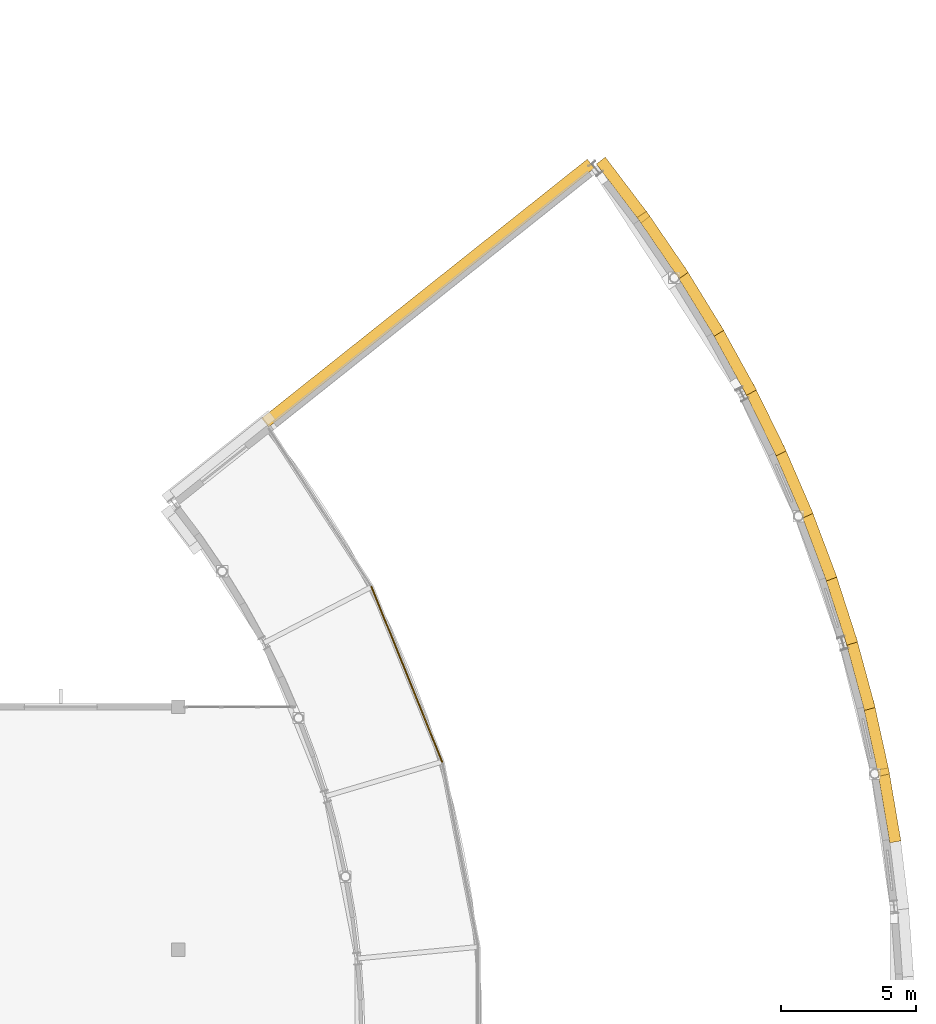
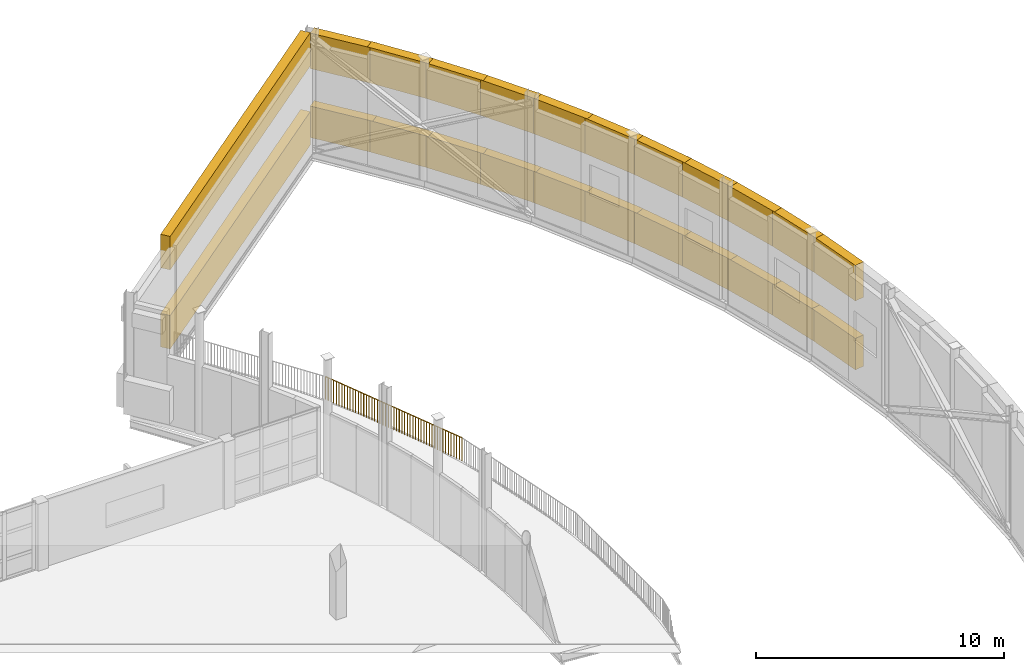
# One storey, part 104 of 104: 24 coverings, 1 railing.
"""IFC4 building model written with IfcOpenShell, lengths in metres."""

from ifc_helpers import new_model, si_unit, direction, frame, origin, origin_2d, place, context, subcontext, project, spatial, rectangle, circle, extrude, material, layer, layer_set, type_object, element, save


model = new_model("IFC4")

# Units and contexts
model_context = context("Model", 3, precision=1e-05, world=origin(), true_north=direction((0.0, 1.0)))
body_context = subcontext(model_context, "Body", "Model", "MODEL_VIEW")
ifc_project = project(units=[si_unit("LENGTHUNIT", "METRE"), si_unit("AREAUNIT", "SQUARE_METRE"), si_unit("VOLUMEUNIT", "CUBIC_METRE"), si_unit("PLANEANGLEUNIT", "RADIAN"), si_unit("MASSUNIT", "GRAM", prefix="KILO")], contexts=[model_context])

# Site, building, storey
site_placement = place(None, origin())
site = spatial("IfcSite", under=ifc_project, at=site_placement, CompositionType="ELEMENT")
building_placement = place(site_placement, origin())
building = spatial("IfcBuilding", under=site, at=building_placement, Name="Vanh Quang Courtyard School", CompositionType="ELEMENT")
storey_placement = place(building_placement, frame((0.0, 0.0, 4.199951171875)))
storey = spatial("IfcBuildingStorey", under=building, at=storey_placement, Name="L01", CompositionType="ELEMENT", Elevation=4.199951171875)

# Coverings
ifc_material_1 = material(Name="White precast concrete C40/50", Category="concrete")
ifc_layer = layer(ifc_material_1, 0.419921875)
ifc_layer_set = layer_set([ifc_layer], Name="White precast concrete C40/50")
covering_type = type_object("IfcCoveringType", Name="COV-CLAD-WHITE", PredefinedType="CLADDING", material=ifc_layer_set)
covering_1_placement = place(storey_placement, frame((163.57861328125, 64.7470703125, 0.47509765625), z_axis=(0.0, 0.0, 1.0), x_axis=(-0.16728499015, 0.985908582005, 0.0)))
element("IfcCovering", 1, at=covering_1_placement, inside=storey, type_object=covering_type, Name="Covering CL-01 (L01)", PredefinedType="CLADDING", context=body_context, shape_type="SweptSolid", body=[
    extrude(rectangle(XDim=2.74560546875, YDim=0.419921875, at=origin_2d()), origin(), (0.0, 0.0, 1.0), 1.550048828125),
])
covering_2_placement = place(storey_placement, frame((163.57861328125, 64.7470703125, 3.875), z_axis=(0.0, 0.0, 1.0), x_axis=(-0.16728499015, 0.985908582005, 0.0)))
element("IfcCovering", 2, at=covering_2_placement, inside=storey, type_object=covering_type, Name="Covering CL-01 (L01)", PredefinedType="CLADDING", context=body_context, shape_type="SweptSolid", body=[
    extrude(rectangle(XDim=2.74560546875, YDim=0.419921875, at=origin_2d()), origin(), (0.0, 0.0, 1.0), 1.75),
])
covering_3_placement = place(storey_placement, frame((163.099609375, 67.211669921875, 0.47509765625), z_axis=(0.0, 0.0, 1.0), x_axis=(-0.214223913346, 0.976784579603, 0.0)))
element("IfcCovering", 3, at=covering_3_placement, inside=storey, type_object=covering_type, Name="Covering CL-01 (L01)", PredefinedType="CLADDING", context=body_context, shape_type="SweptSolid", body=[
    extrude(rectangle(XDim=2.74560546875, YDim=0.419921875, at=origin_2d()), origin(), (0.0, 0.0, 1.0), 1.550048828125),
])
covering_4_placement = place(storey_placement, frame((163.099609375, 67.211669921875, 3.875), z_axis=(0.0, 0.0, 1.0), x_axis=(-0.214223913346, 0.976784579603, 0.0)))
element("IfcCovering", 4, at=covering_4_placement, inside=storey, type_object=covering_type, Name="Covering CL-01 (L01)", PredefinedType="CLADDING", context=body_context, shape_type="SweptSolid", body=[
    extrude(rectangle(XDim=2.74560546875, YDim=0.419921875, at=origin_2d()), origin(), (0.0, 0.0, 1.0), 1.75),
])
covering_5_placement = place(storey_placement, frame((162.502685546875, 69.650390625, 0.47509765625), z_axis=(0.0, 0.0, 1.0), x_axis=(-0.261009993198, 0.965336098699, 0.0)))
element("IfcCovering", 5, at=covering_5_placement, inside=storey, type_object=covering_type, Name="Covering CL-01 (L01)", PredefinedType="CLADDING", context=body_context, shape_type="SweptSolid", body=[
    extrude(rectangle(XDim=2.74560546875, YDim=0.419921875, at=origin_2d()), origin(), (0.0, 0.0, 1.0), 1.550048828125),
])
covering_6_placement = place(storey_placement, frame((162.502685546875, 69.650390625, 3.875), z_axis=(0.0, 0.0, 1.0), x_axis=(-0.261009993198, 0.965336098699, 0.0)))
element("IfcCovering", 6, at=covering_6_placement, inside=storey, type_object=covering_type, Name="Covering CL-01 (L01)", PredefinedType="CLADDING", context=body_context, shape_type="SweptSolid", body=[
    extrude(rectangle(XDim=2.74560546875, YDim=0.419921875, at=origin_2d()), origin(), (0.0, 0.0, 1.0), 1.75),
])
covering_7_placement = place(storey_placement, frame((161.789794921875, 72.0576171875, 0.47509765625), z_axis=(0.0, 0.0, 1.0), x_axis=(-0.307024429971, 0.951701633602, 0.0)))
element("IfcCovering", 7, at=covering_7_placement, inside=storey, type_object=covering_type, Name="Covering CL-01 (L01)", PredefinedType="CLADDING", context=body_context, shape_type="SweptSolid", body=[
    extrude(rectangle(XDim=2.74560546875, YDim=0.419921875, at=origin_2d()), origin(), (0.0, 0.0, 1.0), 1.550048828125),
])
covering_8_placement = place(storey_placement, frame((161.789794921875, 72.0576171875, 3.875), z_axis=(0.0, 0.0, 1.0), x_axis=(-0.307024429971, 0.951701633602, 0.0)))
element("IfcCovering", 8, at=covering_8_placement, inside=storey, type_object=covering_type, Name="Covering CL-01 (L01)", PredefinedType="CLADDING", context=body_context, shape_type="SweptSolid", body=[
    extrude(rectangle(XDim=2.74560546875, YDim=0.419921875, at=origin_2d()), origin(), (0.0, 0.0, 1.0), 1.75),
])
covering_9_placement = place(storey_placement, frame((160.9619140625, 74.427978515625, 0.47509765625), z_axis=(0.0, 0.0, 1.0), x_axis=(-0.352168373381, 0.935936662809, 0.0)))
element("IfcCovering", 9, at=covering_9_placement, inside=storey, type_object=covering_type, Name="Covering CL-01 (L01)", PredefinedType="CLADDING", context=body_context, shape_type="SweptSolid", body=[
    extrude(rectangle(XDim=2.74560546875, YDim=0.419921875, at=origin_2d()), origin(), (0.0, 0.0, 1.0), 1.550048828125),
])
covering_10_placement = place(storey_placement, frame((160.9619140625, 74.427978515625, 3.875), z_axis=(0.0, 0.0, 1.0), x_axis=(-0.352168373381, 0.935936662809, 0.0)))
element("IfcCovering", 10, at=covering_10_placement, inside=storey, type_object=covering_type, Name="Covering CL-01 (L01)", PredefinedType="CLADDING", context=body_context, shape_type="SweptSolid", body=[
    extrude(rectangle(XDim=2.74560546875, YDim=0.419921875, at=origin_2d()), origin(), (0.0, 0.0, 1.0), 1.75),
])
covering_11_placement = place(storey_placement, frame((160.021484375, 76.755859375, 0.47509765625), z_axis=(0.0, 0.0, 1.0), x_axis=(-0.396827509647, 0.917893200535, 0.0)))
element("IfcCovering", 11, at=covering_11_placement, inside=storey, type_object=covering_type, Name="Covering CL-01 (L01)", PredefinedType="CLADDING", context=body_context, shape_type="SweptSolid", body=[
    extrude(rectangle(XDim=2.74560546875, YDim=0.419921875, at=origin_2d()), origin(), (0.0, 0.0, 1.0), 1.550048828125),
])
covering_12_placement = place(storey_placement, frame((160.021484375, 76.755859375, 3.875), z_axis=(0.0, 0.0, 1.0), x_axis=(-0.396827509647, 0.917893200535, 0.0)))
element("IfcCovering", 12, at=covering_12_placement, inside=storey, type_object=covering_type, Name="Covering CL-01 (L01)", PredefinedType="CLADDING", context=body_context, shape_type="SweptSolid", body=[
    extrude(rectangle(XDim=2.74560546875, YDim=0.419921875, at=origin_2d()), origin(), (0.0, 0.0, 1.0), 1.75),
])
covering_13_placement = place(storey_placement, frame((158.97021484375, 79.035888671875, 0.47509765625), z_axis=(0.0, 0.0, 1.0), x_axis=(-0.440252613806, 0.897873953312, 0.0)))
element("IfcCovering", 13, at=covering_13_placement, inside=storey, type_object=covering_type, Name="Covering CL-01 (L01)", PredefinedType="CLADDING", context=body_context, shape_type="SweptSolid", body=[
    extrude(rectangle(XDim=2.74560546875, YDim=0.419921875, at=origin_2d()), origin(), (0.0, 0.0, 1.0), 1.550048828125),
])
covering_14_placement = place(storey_placement, frame((158.97021484375, 79.035888671875, 3.875), z_axis=(0.0, 0.0, 1.0), x_axis=(-0.440252613806, 0.897873953312, 0.0)))
element("IfcCovering", 14, at=covering_14_placement, inside=storey, type_object=covering_type, Name="Covering CL-01 (L01)", PredefinedType="CLADDING", context=body_context, shape_type="SweptSolid", body=[
    extrude(rectangle(XDim=2.74560546875, YDim=0.419921875, at=origin_2d()), origin(), (0.0, 0.0, 1.0), 1.75),
])
covering_15_placement = place(storey_placement, frame((157.81103515625, 81.262939453125, 0.47509765625), z_axis=(0.0, 0.0, 1.0), x_axis=(-0.482976759048, 0.875633171036, 0.0)))
element("IfcCovering", 15, at=covering_15_placement, inside=storey, type_object=covering_type, Name="Covering CL-01 (L01)", PredefinedType="CLADDING", context=body_context, shape_type="SweptSolid", body=[
    extrude(rectangle(XDim=2.74560546875, YDim=0.419921875, at=origin_2d()), origin(), (0.0, 0.0, 1.0), 1.550048828125),
])
covering_16_placement = place(storey_placement, frame((157.81103515625, 81.262939453125, 3.875), z_axis=(0.0, 0.0, 1.0), x_axis=(-0.482976759048, 0.875633171036, 0.0)))
element("IfcCovering", 16, at=covering_16_placement, inside=storey, type_object=covering_type, Name="Covering CL-01 (L01)", PredefinedType="CLADDING", context=body_context, shape_type="SweptSolid", body=[
    extrude(rectangle(XDim=2.74560546875, YDim=0.419921875, at=origin_2d()), origin(), (0.0, 0.0, 1.0), 1.75),
])
covering_17_placement = place(storey_placement, frame((156.546142578125, 83.431640625, 0.47509765625), z_axis=(0.0, 0.0, 1.0), x_axis=(-0.524283182828, 0.851543976671, 0.0)))
element("IfcCovering", 17, at=covering_17_placement, inside=storey, type_object=covering_type, Name="Covering CL-01 (L01)", PredefinedType="CLADDING", context=body_context, shape_type="SweptSolid", body=[
    extrude(rectangle(XDim=2.74560546875, YDim=0.419921875, at=origin_2d()), origin(), (0.0, 0.0, 1.0), 1.550048828125),
])
covering_18_placement = place(storey_placement, frame((156.546142578125, 83.431640625, 3.875), z_axis=(0.0, 0.0, 1.0), x_axis=(-0.524283182828, 0.851543976671, 0.0)))
element("IfcCovering", 18, at=covering_18_placement, inside=storey, type_object=covering_type, Name="Covering CL-01 (L01)", PredefinedType="CLADDING", context=body_context, shape_type="SweptSolid", body=[
    extrude(rectangle(XDim=2.74560546875, YDim=0.419921875, at=origin_2d()), origin(), (0.0, 0.0, 1.0), 1.75),
])
covering_19_placement = place(storey_placement, frame((155.1787109375, 85.537353515625, 0.47509765625), z_axis=(0.0, 0.0, 1.0), x_axis=(-0.564678950066, 0.825310658693, 0.0)))
element("IfcCovering", 19, at=covering_19_placement, inside=storey, type_object=covering_type, Name="Covering CL-01 (L01)", PredefinedType="CLADDING", context=body_context, shape_type="SweptSolid", body=[
    extrude(rectangle(XDim=2.74560546875, YDim=0.419921875, at=origin_2d()), origin(), (0.0, 0.0, 1.0), 1.550048828125),
])
covering_20_placement = place(storey_placement, frame((155.1787109375, 85.537353515625, 3.875), z_axis=(0.0, 0.0, 1.0), x_axis=(-0.564678950066, 0.825310658693, 0.0)))
element("IfcCovering", 20, at=covering_20_placement, inside=storey, type_object=covering_type, Name="Covering CL-01 (L01)", PredefinedType="CLADDING", context=body_context, shape_type="SweptSolid", body=[
    extrude(rectangle(XDim=2.74560546875, YDim=0.419921875, at=origin_2d()), origin(), (0.0, 0.0, 1.0), 1.75),
])
covering_21_placement = place(storey_placement, frame((153.7119140625, 87.5751953125, 0.47509765625), z_axis=(0.0, 0.0, 1.0), x_axis=(-0.603486360302, 0.797373320929, 0.0)))
element("IfcCovering", 21, at=covering_21_placement, inside=storey, type_object=covering_type, Name="Covering CL-01 (L01)", PredefinedType="CLADDING", context=body_context, shape_type="SweptSolid", body=[
    extrude(rectangle(XDim=2.74560546875, YDim=0.419921875, at=origin_2d()), origin(), (0.0, 0.0, 1.0), 1.550048828125),
])
covering_22_placement = place(storey_placement, frame((153.7119140625, 87.5751953125, 3.875), z_axis=(0.0, 0.0, 1.0), x_axis=(-0.603486360302, 0.797373320929, 0.0)))
element("IfcCovering", 22, at=covering_22_placement, inside=storey, type_object=covering_type, Name="Covering CL-01 (L01)", PredefinedType="CLADDING", context=body_context, shape_type="SweptSolid", body=[
    extrude(rectangle(XDim=2.74560546875, YDim=0.419921875, at=origin_2d()), origin(), (0.0, 0.0, 1.0), 1.75),
])
for number, where, z_axis, x_axis, name in (
    (23, (146.468505859375, 83.749755859375, 0.22509765625), (0.0, 0.0, 1.0), (0.782608156852, 0.622514636638, 0.0), "Covering CL-01 (L01)"),
    (24, (146.468505859375, 83.749755859375, 4.125), (0.0, 0.0, 1.0), (0.782608156852, 0.622514636638, 0.0), "Covering CL-01 (L01)"),
):
    element("IfcCovering", number, at=place(storey_placement, frame(where, z_axis=z_axis, x_axis=x_axis)), inside=storey, type_object=covering_type, Name=name, PredefinedType="CLADDING", context=body_context, shape_type="SweptSolid", body=[
        extrude(rectangle(XDim=15.43994140625, YDim=0.419921875, at=origin_2d()), origin(), (0.0, 0.0, 1.0), 1.64990234375),
    ])

# Railing
ifc_material_2 = material(Name="Galvanised painted steel EN 10025-2 S355J2", Category="steel")
railing_type = type_object("IfcRailingType", Name="RAIL-GUARD-1150", PredefinedType="BALUSTRADE", material=ifc_material_2)
railing_placement = place(storey_placement, frame((146.996826171875, 66.36669921875, 0.0)))
element("IfcRailing", 25, at=railing_placement, inside=storey, type_object=railing_type, Name="Railing GR-01 (L01)", PredefinedType="BALUSTRADE", context=body_context, shape_type="SweptSolid", body=[
    extrude(circle(Radius=0.02392578125, at=origin_2d()), frame((0.0, 0.0, 1.1259765625), z_axis=(-0.374595168761, 0.927188470345, 0.0), x_axis=(-0.927188470345, -0.374595168761, 0.0)), (0.0, 0.0, 1.0), 6.99658203125),
    extrude(circle(Radius=0.02099609375, at=origin_2d()), origin(), (0.0, 0.0, 1.0), 1.101806640625),
    extrude(circle(Radius=0.02099609375, at=origin_2d()), frame((-0.052490234375, 0.129638671875, 0.0)), (0.0, 0.0, 1.0), 1.101806640625),
    extrude(circle(Radius=0.02099609375, at=origin_2d()), frame((-0.104736328125, 0.259521484375, 0.0)), (0.0, 0.0, 1.0), 1.101806640625),
    extrude(circle(Radius=0.02099609375, at=origin_2d()), frame((-0.1572265625, 0.38916015625, 0.0)), (0.0, 0.0, 1.0), 1.101806640625),
    extrude(circle(Radius=0.02099609375, at=origin_2d()), frame((-0.209716796875, 0.51904296875, 0.0)), (0.0, 0.0, 1.0), 1.101806640625),
    extrude(circle(Radius=0.02099609375, at=origin_2d()), frame((-0.26220703125, 0.648681640625, 0.0)), (0.0, 0.0, 1.0), 1.101806640625),
    extrude(circle(Radius=0.02099609375, at=origin_2d()), frame((-0.314453125, 0.778564453125, 0.0)), (0.0, 0.0, 1.0), 1.101806640625),
    extrude(circle(Radius=0.02099609375, at=origin_2d()), frame((-0.366943359375, 0.908203125, 0.0)), (0.0, 0.0, 1.0), 1.101806640625),
    extrude(circle(Radius=0.02099609375, at=origin_2d()), frame((-0.41943359375, 1.037841796875, 0.0)), (0.0, 0.0, 1.0), 1.101806640625),
    extrude(circle(Radius=0.02099609375, at=origin_2d()), frame((-0.4716796875, 1.167724609375, 0.0)), (0.0, 0.0, 1.0), 1.101806640625),
    extrude(circle(Radius=0.02099609375, at=origin_2d()), frame((-0.524169921875, 1.29736328125, 0.0)), (0.0, 0.0, 1.0), 1.101806640625),
    extrude(circle(Radius=0.02099609375, at=origin_2d()), frame((-0.57666015625, 1.42724609375, 0.0)), (0.0, 0.0, 1.0), 1.101806640625),
    extrude(circle(Radius=0.02099609375, at=origin_2d()), frame((-0.62890625, 1.556884765625, 0.0)), (0.0, 0.0, 1.0), 1.101806640625),
    extrude(circle(Radius=0.02099609375, at=origin_2d()), frame((-0.681396484375, 1.6865234375, 0.0)), (0.0, 0.0, 1.0), 1.101806640625),
    extrude(circle(Radius=0.02099609375, at=origin_2d()), frame((-0.73388671875, 1.81640625, 0.0)), (0.0, 0.0, 1.0), 1.101806640625),
    extrude(circle(Radius=0.02099609375, at=origin_2d()), frame((-0.7861328125, 1.946044921875, 0.0)), (0.0, 0.0, 1.0), 1.101806640625),
    extrude(circle(Radius=0.02099609375, at=origin_2d()), frame((-0.838623046875, 2.075927734375, 0.0)), (0.0, 0.0, 1.0), 1.101806640625),
    extrude(circle(Radius=0.02099609375, at=origin_2d()), frame((-0.89111328125, 2.20556640625, 0.0)), (0.0, 0.0, 1.0), 1.101806640625),
    extrude(circle(Radius=0.02099609375, at=origin_2d()), frame((-0.943603515625, 2.33544921875, 0.0)), (0.0, 0.0, 1.0), 1.101806640625),
    extrude(circle(Radius=0.02099609375, at=origin_2d()), frame((-0.995849609375, 2.465087890625, 0.0)), (0.0, 0.0, 1.0), 1.101806640625),
    extrude(circle(Radius=0.02099609375, at=origin_2d()), frame((-1.04833984375, 2.5947265625, 0.0)), (0.0, 0.0, 1.0), 1.101806640625),
    extrude(circle(Radius=0.02099609375, at=origin_2d()), frame((-1.100830078125, 2.724609375, 0.0)), (0.0, 0.0, 1.0), 1.101806640625),
    extrude(circle(Radius=0.02099609375, at=origin_2d()), frame((-1.153076171875, 2.854248046875, 0.0)), (0.0, 0.0, 1.0), 1.101806640625),
    extrude(circle(Radius=0.02099609375, at=origin_2d()), frame((-1.20556640625, 2.984130859375, 0.0)), (0.0, 0.0, 1.0), 1.101806640625),
    extrude(circle(Radius=0.02099609375, at=origin_2d()), frame((-1.258056640625, 3.11376953125, 0.0)), (0.0, 0.0, 1.0), 1.101806640625),
    extrude(circle(Radius=0.02099609375, at=origin_2d()), frame((-1.310546875, 3.24365234375, 0.0)), (0.0, 0.0, 1.0), 1.101806640625),
    extrude(circle(Radius=0.02099609375, at=origin_2d()), frame((-1.36279296875, 3.373291015625, 0.0)), (0.0, 0.0, 1.0), 1.101806640625),
    extrude(circle(Radius=0.02099609375, at=origin_2d()), frame((-1.415283203125, 3.5029296875, 0.0)), (0.0, 0.0, 1.0), 1.101806640625),
    extrude(circle(Radius=0.02099609375, at=origin_2d()), frame((-1.4677734375, 3.6328125, 0.0)), (0.0, 0.0, 1.0), 1.101806640625),
    extrude(circle(Radius=0.02099609375, at=origin_2d()), frame((-1.52001953125, 3.762451171875, 0.0)), (0.0, 0.0, 1.0), 1.101806640625),
    extrude(circle(Radius=0.02099609375, at=origin_2d()), frame((-1.572509765625, 3.892333984375, 0.0)), (0.0, 0.0, 1.0), 1.101806640625),
    extrude(circle(Radius=0.02099609375, at=origin_2d()), frame((-1.625, 4.02197265625, 0.0)), (0.0, 0.0, 1.0), 1.101806640625),
    extrude(circle(Radius=0.02099609375, at=origin_2d()), frame((-1.67724609375, 4.151611328125, 0.0)), (0.0, 0.0, 1.0), 1.101806640625),
    extrude(circle(Radius=0.02099609375, at=origin_2d()), frame((-1.729736328125, 4.281494140625, 0.0)), (0.0, 0.0, 1.0), 1.101806640625),
    extrude(circle(Radius=0.02099609375, at=origin_2d()), frame((-1.7822265625, 4.4111328125, 0.0)), (0.0, 0.0, 1.0), 1.101806640625),
    extrude(circle(Radius=0.02099609375, at=origin_2d()), frame((-1.83447265625, 4.541015625, 0.0)), (0.0, 0.0, 1.0), 1.101806640625),
    extrude(circle(Radius=0.02099609375, at=origin_2d()), frame((-1.886962890625, 4.670654296875, 0.0)), (0.0, 0.0, 1.0), 1.101806640625),
    extrude(circle(Radius=0.02099609375, at=origin_2d()), frame((-1.939453125, 4.800537109375, 0.0)), (0.0, 0.0, 1.0), 1.101806640625),
    extrude(circle(Radius=0.02099609375, at=origin_2d()), frame((-1.991943359375, 4.93017578125, 0.0)), (0.0, 0.0, 1.0), 1.101806640625),
    extrude(circle(Radius=0.02099609375, at=origin_2d()), frame((-2.044189453125, 5.059814453125, 0.0)), (0.0, 0.0, 1.0), 1.101806640625),
    extrude(circle(Radius=0.02099609375, at=origin_2d()), frame((-2.0966796875, 5.189697265625, 0.0)), (0.0, 0.0, 1.0), 1.101806640625),
    extrude(circle(Radius=0.02099609375, at=origin_2d()), frame((-2.149169921875, 5.3193359375, 0.0)), (0.0, 0.0, 1.0), 1.101806640625),
    extrude(circle(Radius=0.02099609375, at=origin_2d()), frame((-2.201416015625, 5.44921875, 0.0)), (0.0, 0.0, 1.0), 1.101806640625),
    extrude(circle(Radius=0.02099609375, at=origin_2d()), frame((-2.25390625, 5.578857421875, 0.0)), (0.0, 0.0, 1.0), 1.101806640625),
    extrude(circle(Radius=0.02099609375, at=origin_2d()), frame((-2.306396484375, 5.70849609375, 0.0)), (0.0, 0.0, 1.0), 1.101806640625),
    extrude(circle(Radius=0.02099609375, at=origin_2d()), frame((-2.35888671875, 5.83837890625, 0.0)), (0.0, 0.0, 1.0), 1.101806640625),
    extrude(circle(Radius=0.02099609375, at=origin_2d()), frame((-2.4111328125, 5.968017578125, 0.0)), (0.0, 0.0, 1.0), 1.101806640625),
    extrude(circle(Radius=0.02099609375, at=origin_2d()), frame((-2.463623046875, 6.097900390625, 0.0)), (0.0, 0.0, 1.0), 1.101806640625),
    extrude(circle(Radius=0.02099609375, at=origin_2d()), frame((-2.51611328125, 6.2275390625, 0.0)), (0.0, 0.0, 1.0), 1.101806640625),
    extrude(circle(Radius=0.02099609375, at=origin_2d()), frame((-2.568359375, 6.357421875, 0.0)), (0.0, 0.0, 1.0), 1.101806640625),
    extrude(circle(Radius=0.02099609375, at=origin_2d()), frame((-2.620849609375, 6.487060546875, 0.0)), (0.0, 0.0, 1.0), 1.101806640625),
])

save(model, "model.ifc")
